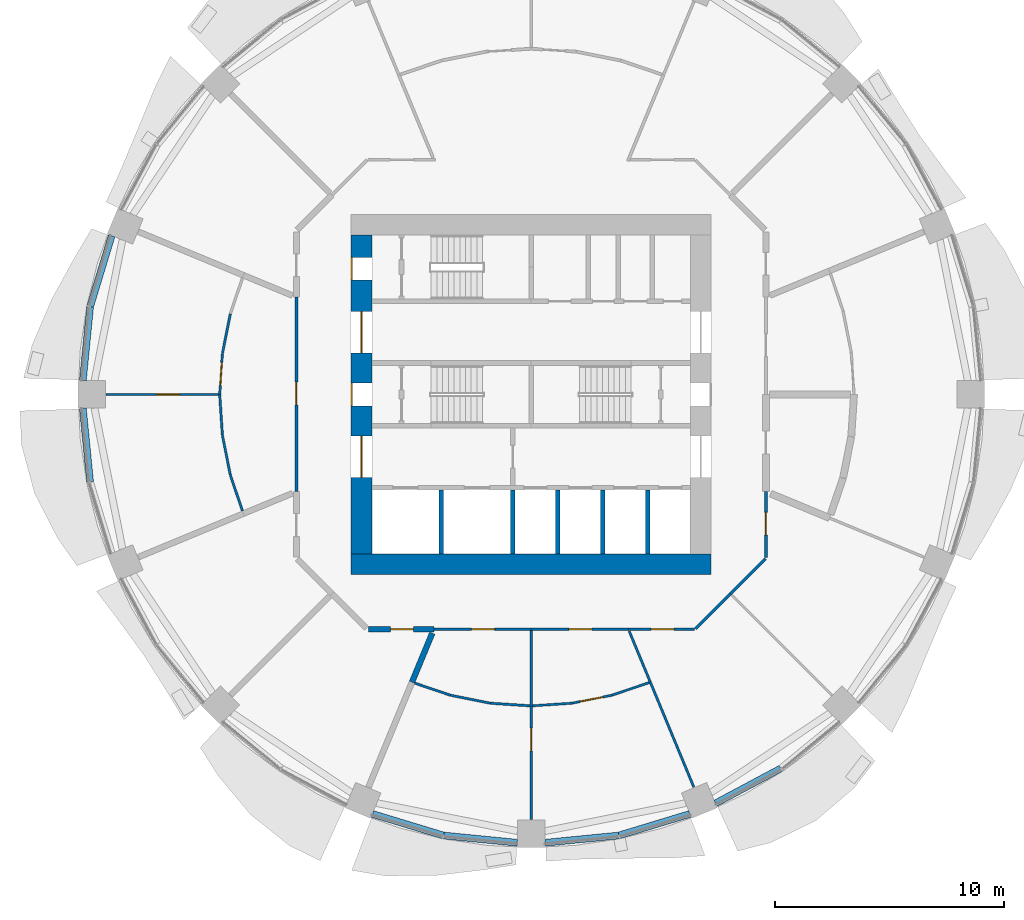
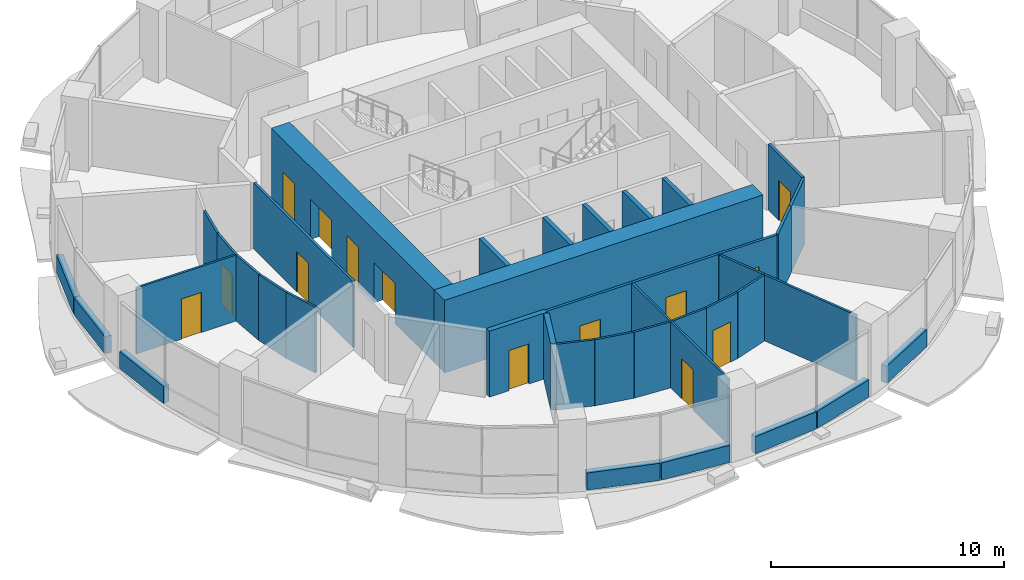
# One storey, part 8 of 15: 40 walls, 14 doors, 14 openings.
"""IFC4 building model written with IfcOpenShell, lengths in metres."""

from ifc_helpers import new_model, si_unit, direction, frame, frame_2d, origin, place, context, subcontext, project, spatial, rectangle, extrude, material, layer, layer_set, type_object, element, fill, save


model = new_model("IFC4")

# Units and contexts
model_context = context("Model", 3, precision=1e-05, world=origin(), true_north=direction((0.0, 1.0)))
body_context = subcontext(model_context, "Body", "Model", "MODEL_VIEW")
ifc_project = project(units=[si_unit("LENGTHUNIT", "METRE"), si_unit("AREAUNIT", "SQUARE_METRE"), si_unit("VOLUMEUNIT", "CUBIC_METRE"), si_unit("PLANEANGLEUNIT", "RADIAN"), si_unit("MASSUNIT", "GRAM", prefix="KILO")], contexts=[model_context])

# Site, building, storey
site_placement = place(None, origin())
site = spatial("IfcSite", under=ifc_project, at=site_placement, CompositionType="ELEMENT")
building_placement = place(site_placement, origin())
building = spatial("IfcBuilding", under=site, at=building_placement, Name="Polderwave Tower", CompositionType="ELEMENT")
storey_placement = place(building_placement, frame((0.0, 0.0, 22.39990234375)))
storey = spatial("IfcBuildingStorey", under=building, at=storey_placement, Name="L05", CompositionType="ELEMENT", Elevation=22.39990234375)

# Wall
ifc_material_1 = material(Name="Concrete C80/95", Category="concrete")
ifc_layer_1 = layer(ifc_material_1, 0.89990234375)
ifc_layer_set_1 = layer_set([ifc_layer_1], Name="CORE WALL 900 C80/95")
wall_type_1 = type_object("IfcWallType", Name="CORE WALL 900 C80/95", PredefinedType="SHEAR", material=ifc_layer_set_1)
wall_1_placement = place(storey_placement, frame((-7.8740234375, -7.424072265625, 0.0), z_axis=(0.0, 0.0, 1.0), x_axis=(1.0, 0.0, 0.0)))
element("IfcWall", 1, at=wall_1_placement, inside=storey, type_object=wall_type_1, Name="ST-CORE-L05-S", PredefinedType="SHEAR", context=body_context, shape_type="SweptSolid", body=[
    extrude(rectangle(XDim=15.748046875, YDim=0.89990234375, at=frame_2d((7.8740234375, 0.0))), origin(), (0.0, 0.0, 1.0), 3.800048828125),
])

# Wall, openings, doors
wall_2_placement = place(storey_placement, frame((-7.424072265625, -6.97412109375, 0.0), z_axis=(0.0, 0.0, 1.0), x_axis=(0.0, 1.0, 0.0)))
wall_2 = element("IfcWall", 2, at=wall_2_placement, inside=storey, type_object=wall_type_1, Name="ST-CORE-L05-W", PredefinedType="SHEAR", context=body_context, shape_type="SweptSolid", body=[
    extrude(rectangle(XDim=13.9482421875, YDim=0.89990234375, at=frame_2d((6.97412109375, 0.0))), origin(), (0.0, 0.0, 1.0), 3.800048828125),
])
opening_1_placement = place(wall_2_placement, frame((6.47412109375, 0.0, 0.0)))
opening_1 = element("IfcOpeningElement", 3, at=opening_1_placement, cuts=wall_2, Name="Opening L05-D18", PredefinedType="OPENING", context=body_context, shape_type="SweptSolid", body=[
    extrude(rectangle(XDim=1.0, YDim=2.10009765625, at=frame_2d((0.5, 1.050048828125))), frame((0.0, 0.4599609375, 0.0), z_axis=(0.0, -1.0, 0.0), x_axis=(1.0, 0.0, 0.0)), (0.0, 0.0, 1.0), 0.919921875),
])
opening_2_placement = place(wall_2_placement, frame((3.349609375, 0.0, 0.0)))
opening_2 = element("IfcOpeningElement", 4, at=opening_2_placement, cuts=wall_2, Name="Opening L05-D19", PredefinedType="OPENING", context=body_context, shape_type="SweptSolid", body=[
    extrude(rectangle(XDim=1.800048828125, YDim=2.10009765625, at=frame_2d((0.89990234375, 1.050048828125))), frame((0.0, 0.4599609375, 0.0), z_axis=(0.0, -1.0, 0.0), x_axis=(1.0, 0.0, 0.0)), (0.0, 0.0, 1.0), 0.919921875),
])
opening_3_placement = place(wall_2_placement, frame((8.798583984375, 0.0, 0.0)))
opening_3 = element("IfcOpeningElement", 5, at=opening_3_placement, cuts=wall_2, Name="Opening L05-D20", PredefinedType="OPENING", context=body_context, shape_type="SweptSolid", body=[
    extrude(rectangle(XDim=1.800048828125, YDim=2.10009765625, at=frame_2d((0.89990234375, 1.050048828125))), frame((0.0, 0.4599609375, 0.0), z_axis=(0.0, -1.0, 0.0), x_axis=(1.0, 0.0, 0.0)), (0.0, 0.0, 1.0), 0.919921875),
])
opening_4_placement = place(wall_2_placement, frame((11.97412109375, 0.0, 0.0)))
opening_4 = element("IfcOpeningElement", 6, at=opening_4_placement, cuts=wall_2, Name="Opening L05-D21", PredefinedType="OPENING", context=body_context, shape_type="SweptSolid", body=[
    extrude(rectangle(XDim=1.0, YDim=2.10009765625, at=frame_2d((0.5, 1.050048828125))), frame((0.0, 0.4599609375, 0.0), z_axis=(0.0, -1.0, 0.0), x_axis=(1.0, 0.0, 0.0)), (0.0, 0.0, 1.0), 0.919921875),
])
ifc_material_2 = material(Name="Steel fire door", Category="steel")
door_type_1 = type_object("IfcDoorType", Name="Lobby entry door pair 1800", OperationType="DOUBLE_DOOR_SINGLE_SWING", PredefinedType="DOOR", material=ifc_material_2)
door_1_placement = place(opening_2_placement, origin())
door_1 = element("IfcDoor", 7, at=door_1_placement, inside=storey, type_object=door_type_1, Name="Fire-fighting lobby entry door", OperationType="DOUBLE_DOOR_SINGLE_SWING", OverallHeight=2.10009765625, OverallWidth=1.800048828125, PredefinedType="DOOR", context=body_context, shape_type="SweptSolid", body=[
    extrude(rectangle(XDim=1.800048828125, YDim=2.10009765625, at=frame_2d((0.89990234375, 1.050048828125))), frame((0.0, 0.02490234375, 0.0), z_axis=(0.0, -1.0, 0.0), x_axis=(1.0, 0.0, 0.0)), (0.0, 0.0, 1.0), 0.050048828125),
])
fill(opening_2, door_1)
door_2_placement = place(opening_3_placement, origin())
door_2 = element("IfcDoor", 8, at=door_2_placement, inside=storey, type_object=door_type_1, Name="North lobby entry door", OperationType="DOUBLE_DOOR_SINGLE_SWING", OverallHeight=2.10009765625, OverallWidth=1.800048828125, PredefinedType="DOOR", context=body_context, shape_type="SweptSolid", body=[
    extrude(rectangle(XDim=1.800048828125, YDim=2.10009765625, at=frame_2d((0.89990234375, 1.050048828125))), frame((0.0, 0.02490234375, 0.0), z_axis=(0.0, -1.0, 0.0), x_axis=(1.0, 0.0, 0.0)), (0.0, 0.0, 1.0), 0.050048828125),
])
fill(opening_3, door_2)
door_type_2 = type_object("IfcDoorType", Name="Stair door 1000", OperationType="NOTDEFINED", PredefinedType="DOOR", material=ifc_material_2)
door_3_placement = place(opening_1_placement, origin())
door_3 = element("IfcDoor", 9, at=door_3_placement, inside=storey, type_object=door_type_2, Name="Stair A entry door", OperationType="SINGLE_SWING_RIGHT", OverallHeight=2.10009765625, OverallWidth=1.0, PredefinedType="DOOR", context=body_context, shape_type="SweptSolid", body=[
    extrude(rectangle(XDim=1.0, YDim=2.10009765625, at=frame_2d((0.5, 1.050048828125))), frame((0.0, 0.4501953125, 0.0), z_axis=(0.0, -1.0, 0.0), x_axis=(1.0, 0.0, 0.0)), (0.0, 0.0, 1.0), 0.050048828125),
])
fill(opening_1, door_3)
door_4_placement = place(opening_4_placement, origin())
door_4 = element("IfcDoor", 10, at=door_4_placement, inside=storey, type_object=door_type_2, Name="Stair C entry door", OperationType="SINGLE_SWING_RIGHT", OverallHeight=2.10009765625, OverallWidth=1.0, PredefinedType="DOOR", context=body_context, shape_type="SweptSolid", body=[
    extrude(rectangle(XDim=1.0, YDim=2.10009765625, at=frame_2d((0.5, 1.050048828125))), frame((0.0, 0.4501953125, 0.0), z_axis=(0.0, -1.0, 0.0), x_axis=(1.0, 0.0, 0.0)), (0.0, 0.0, 1.0), 0.050048828125),
])
fill(opening_4, door_4)

# Walls
ifc_material_3 = material(Name="Concrete C50/60 (board-marked)", Category="concrete")
ifc_layer_2 = layer(ifc_material_3, 0.300048828125)
ifc_layer_set_2 = layer_set([ifc_layer_2], Name="Concrete spandrel upstand C50/60")
wall_type_2 = type_object("IfcWallType", Name="Concrete spandrel upstand C50/60", PredefinedType="SOLIDWALL", material=ifc_layer_set_2)
wall_3_placement = place(storey_placement, frame((-18.3603515625, 6.940673828125, 0.0), z_axis=(0.0, 0.0, 1.0), x_axis=(-0.290505111592, -0.95687343998, 0.0)))
element("IfcWall", 11, at=wall_3_placement, inside=storey, type_object=wall_type_2, Name="Spandrel L05 8a", PredefinedType="SOLIDWALL", context=body_context, shape_type="SweptSolid", body=[
    extrude(rectangle(XDim=3.226318359375, YDim=0.300048828125, at=frame_2d((1.61328125, 0.0))), origin(), (0.0, 0.0, 1.0), 0.900146484375),
])
for number, where, z_axis, x_axis, name in (
    (12, (-19.303466796875, 3.82421875, 0.0), (0.0, 0.0, 1.0), (-0.097900553906, -0.995196202537, 0.0), "Spandrel L05 8b"),
    (13, (-19.619384765625, -0.61279296875, 0.0), (0.0, 0.0, 1.0), (0.097900553906, -0.995196202537, 0.0), "Spandrel L05 9a"),
):
    element("IfcWall", number, at=place(storey_placement, frame(where, z_axis=z_axis, x_axis=x_axis)), inside=storey, type_object=wall_type_2, Name=name, PredefinedType="SOLIDWALL", context=body_context, shape_type="SweptSolid", body=[
        extrude(rectangle(XDim=3.226806640625, YDim=0.300048828125, at=frame_2d((1.61328125, 0.0))), origin(), (0.0, 0.0, 1.0), 0.900146484375),
    ])
wall_4_placement = place(storey_placement, frame((-6.940673828125, -18.3603515625, 0.0), z_axis=(0.0, 0.0, 1.0), x_axis=(0.95687343998, -0.290505111592, 0.0)))
element("IfcWall", 14, at=wall_4_placement, inside=storey, type_object=wall_type_2, Name="Spandrel L05 12a", PredefinedType="SOLIDWALL", context=body_context, shape_type="SweptSolid", body=[
    extrude(rectangle(XDim=3.226318359375, YDim=0.300048828125, at=frame_2d((1.61328125, 0.0))), origin(), (0.0, 0.0, 1.0), 0.900146484375),
])
for number, where, z_axis, x_axis, name in (
    (15, (-3.82421875, -19.303466796875, 0.0), (0.0, 0.0, 1.0), (0.995196202537, -0.097900553906, 0.0), "Spandrel L05 12b"),
    (16, (0.61279296875, -19.619384765625, 0.0), (0.0, 0.0, 1.0), (0.995196202537, 0.097900553906, 0.0), "Spandrel L05 13a"),
):
    element("IfcWall", number, at=place(storey_placement, frame(where, z_axis=z_axis, x_axis=x_axis)), inside=storey, type_object=wall_type_2, Name=name, PredefinedType="SOLIDWALL", context=body_context, shape_type="SweptSolid", body=[
        extrude(rectangle(XDim=3.226806640625, YDim=0.300048828125, at=frame_2d((1.61328125, 0.0))), origin(), (0.0, 0.0, 1.0), 0.900146484375),
    ])
wall_5_placement = place(storey_placement, frame((3.853515625, -19.297607421875, 0.0), z_axis=(0.0, 0.0, 1.0), x_axis=(0.95687343998, 0.290505111592, 0.0)))
element("IfcWall", 17, at=wall_5_placement, inside=storey, type_object=wall_type_2, Name="Spandrel L05 13b", PredefinedType="SOLIDWALL", context=body_context, shape_type="SweptSolid", body=[
    extrude(rectangle(XDim=3.226318359375, YDim=0.300048828125, at=frame_2d((1.61328125, 0.0))), origin(), (0.0, 0.0, 1.0), 0.900146484375),
])
wall_6_placement = place(storey_placement, frame((8.07421875, -17.890869140625, 0.0), z_axis=(0.0, 0.0, 1.0), x_axis=(0.881960953585, 0.471322475968, 0.0)))
element("IfcWall", 18, at=wall_6_placement, inside=storey, type_object=wall_type_2, Name="Spandrel L05 14a", PredefinedType="SOLIDWALL", context=body_context, shape_type="SweptSolid", body=[
    extrude(rectangle(XDim=3.2265625, YDim=0.300048828125, at=frame_2d((1.61328125, 0.0))), origin(), (0.0, 0.0, 1.0), 0.900146484375),
])
ifc_material_4 = material(Name="Fire-resisting board on steel studs", Category="steel")
ifc_layer_3 = layer(ifc_material_4, 0.125)
ifc_layer_set_3 = layer_set([ifc_layer_3], Name="Corridor wall 125 mm EI 60")
wall_type_3 = type_object("IfcWallType", Name="Corridor wall 125 mm EI 60", PredefinedType="PARTITIONING", material=ifc_layer_set_3)
wall_7_placement = place(storey_placement, frame((10.255615234375, -7.189453125, 0.0), z_axis=(0.0, 0.0, 1.0), x_axis=(-0.707163081738, -0.707050476152, 0.0)))
element("IfcWall", 19, at=wall_7_placement, inside=storey, type_object=wall_type_3, Name="IN-L05-W004", PredefinedType="PARTITIONING", context=body_context, shape_type="SweptSolid", body=[
    extrude(rectangle(XDim=2.168212890625, YDim=0.125, at=frame_2d((1.083984375, 0.0))), origin(), (0.0, 0.0, 1.0), 3.4501953125),
])

# Wall, opening, door
wall_8_placement = place(storey_placement, frame((10.27392578125, -4.255615234375, 0.0), z_axis=(0.0, 0.0, 1.0), x_axis=(0.0, -1.0, 0.0)))
wall_8 = element("IfcWall", 20, at=wall_8_placement, inside=storey, type_object=wall_type_3, Name="IN-L05-W005", PredefinedType="PARTITIONING", context=body_context, shape_type="SweptSolid", body=[
    extrude(rectangle(XDim=2.8896484375, YDim=0.125, at=frame_2d((1.44482421875, 0.0))), origin(), (0.0, 0.0, 1.0), 3.4501953125),
])
opening_5_placement = place(wall_8_placement, frame((0.89990234375, 0.0, 0.0)))
opening_5 = element("IfcOpeningElement", 21, at=opening_5_placement, cuts=wall_8, Name="Opening L05-D52", PredefinedType="OPENING", context=body_context, shape_type="SweptSolid", body=[
    extrude(rectangle(XDim=1.0, YDim=2.10009765625, at=frame_2d((0.5, 1.050048828125))), frame((0.0, 0.072509765625, 0.0), z_axis=(0.0, -1.0, 0.0), x_axis=(1.0, 0.0, 0.0)), (0.0, 0.0, 1.0), 0.14501953125),
])
ifc_material_5 = material(Name="Timber fire door leaf", Category="wood")
door_type_3 = type_object("IfcDoorType", Name="Fire door FD30S 1000 x 2100", OperationType="NOTDEFINED", PredefinedType="DOOR", material=ifc_material_5)
door_5_placement = place(opening_5_placement, origin())
door_5 = element("IfcDoor", 22, at=door_5_placement, inside=storey, type_object=door_type_3, Name="Door L05-D52", OperationType="SINGLE_SWING_LEFT", OverallHeight=2.10009765625, OverallWidth=1.0, PredefinedType="DOOR", context=body_context, shape_type="SweptSolid", body=[
    extrude(rectangle(XDim=1.0, YDim=2.10009765625, at=frame_2d((0.5, 1.050048828125))), frame((0.0, 0.02490234375, 0.0), z_axis=(0.0, -1.0, 0.0), x_axis=(1.0, 0.0, 0.0)), (0.0, 0.0, 1.0), 0.050048828125),
])
fill(opening_5, door_5)

wall_9_placement = place(storey_placement, frame((-10.27392578125, -4.255615234375, 0.0), z_axis=(0.0, 0.0, 1.0), x_axis=(0.0, 1.0, 0.0)))
wall_9 = element("IfcWall", 23, at=wall_9_placement, inside=storey, type_object=wall_type_3, Name="IN-L05-W013", PredefinedType="PARTITIONING", context=body_context, shape_type="SweptSolid", body=[
    extrude(rectangle(XDim=8.51123046875, YDim=0.125, at=frame_2d((4.255615234375, 0.0))), origin(), (0.0, 0.0, 1.0), 3.4501953125),
])
opening_6_placement = place(wall_9_placement, frame((3.800048828125, 0.0, 0.0)))
opening_6 = element("IfcOpeningElement", 24, at=opening_6_placement, cuts=wall_9, Name="Opening L05-D57", PredefinedType="OPENING", context=body_context, shape_type="SweptSolid", body=[
    extrude(rectangle(XDim=1.0, YDim=2.10009765625, at=frame_2d((0.5, 1.050048828125))), frame((0.0, 0.072509765625, 0.0), z_axis=(0.0, -1.0, 0.0), x_axis=(1.0, 0.0, 0.0)), (0.0, 0.0, 1.0), 0.14501953125),
])
door_6_placement = place(opening_6_placement, origin())
door_6 = element("IfcDoor", 25, at=door_6_placement, inside=storey, type_object=door_type_3, Name="Door L05-D57", OperationType="SINGLE_SWING_RIGHT", OverallHeight=2.10009765625, OverallWidth=1.0, PredefinedType="DOOR", context=body_context, shape_type="SweptSolid", body=[
    extrude(rectangle(XDim=1.0, YDim=2.10009765625, at=frame_2d((0.5, 1.050048828125))), frame((0.0, 0.02490234375, 0.0), z_axis=(0.0, -1.0, 0.0), x_axis=(1.0, 0.0, 0.0)), (0.0, 0.0, 1.0), 0.050048828125),
])
fill(opening_6, door_6)

wall_10_placement = place(storey_placement, frame((0.0, -10.27392578125, 0.0), z_axis=(0.0, 0.0, 1.0), x_axis=(-1.0, 0.0, 0.0)))
wall_10 = element("IfcWall", 26, at=wall_10_placement, inside=storey, type_object=wall_type_3, Name="IN-L05-W018", PredefinedType="PARTITIONING", context=body_context, shape_type="SweptSolid", body=[
    extrude(rectangle(XDim=4.255615234375, YDim=0.125, at=frame_2d((2.1279296875, 0.0))), origin(), (0.0, 0.0, 1.0), 3.4501953125),
])
opening_7_placement = place(wall_10_placement, frame((1.60009765625, 0.0, 0.0)))
opening_7 = element("IfcOpeningElement", 27, at=opening_7_placement, cuts=wall_10, Name="Opening L05-D60", PredefinedType="OPENING", context=body_context, shape_type="SweptSolid", body=[
    extrude(rectangle(XDim=1.0, YDim=2.10009765625, at=frame_2d((0.5, 1.050048828125))), frame((0.0, 0.072509765625, 0.0), z_axis=(0.0, -1.0, 0.0), x_axis=(1.0, 0.0, 0.0)), (0.0, 0.0, 1.0), 0.14501953125),
])
door_7_placement = place(opening_7_placement, origin())
door_7 = element("IfcDoor", 28, at=door_7_placement, inside=storey, type_object=door_type_3, Name="Door L05-D60", OperationType="SINGLE_SWING_LEFT", OverallHeight=2.10009765625, OverallWidth=1.0, PredefinedType="DOOR", context=body_context, shape_type="SweptSolid", body=[
    extrude(rectangle(XDim=1.0, YDim=2.10009765625, at=frame_2d((0.5, 1.050048828125))), frame((0.0, 0.02490234375, 0.0), z_axis=(0.0, -1.0, 0.0), x_axis=(1.0, 0.0, 0.0)), (0.0, 0.0, 1.0), 0.050048828125),
])
fill(opening_7, door_7)

wall_11_placement = place(storey_placement, frame((4.255615234375, -10.27392578125, 0.0), z_axis=(0.0, 0.0, 1.0), x_axis=(-1.0, 0.0, 0.0)))
wall_11 = element("IfcWall", 29, at=wall_11_placement, inside=storey, type_object=wall_type_3, Name="IN-L05-W019", PredefinedType="PARTITIONING", context=body_context, shape_type="SweptSolid", body=[
    extrude(rectangle(XDim=4.255615234375, YDim=0.125, at=frame_2d((2.1279296875, 0.0))), origin(), (0.0, 0.0, 1.0), 3.4501953125),
])
opening_8_placement = place(wall_11_placement, frame((1.60009765625, 0.0, 0.0)))
opening_8 = element("IfcOpeningElement", 30, at=opening_8_placement, cuts=wall_11, Name="Opening L05-D61", PredefinedType="OPENING", context=body_context, shape_type="SweptSolid", body=[
    extrude(rectangle(XDim=1.0, YDim=2.10009765625, at=frame_2d((0.5, 1.050048828125))), frame((0.0, 0.072509765625, 0.0), z_axis=(0.0, -1.0, 0.0), x_axis=(1.0, 0.0, 0.0)), (0.0, 0.0, 1.0), 0.14501953125),
])
door_8_placement = place(opening_8_placement, origin())
door_8 = element("IfcDoor", 31, at=door_8_placement, inside=storey, type_object=door_type_3, Name="Door L05-D61", OperationType="SINGLE_SWING_LEFT", OverallHeight=2.10009765625, OverallWidth=1.0, PredefinedType="DOOR", context=body_context, shape_type="SweptSolid", body=[
    extrude(rectangle(XDim=1.0, YDim=2.10009765625, at=frame_2d((0.5, 1.050048828125))), frame((0.0, 0.02490234375, 0.0), z_axis=(0.0, -1.0, 0.0), x_axis=(1.0, 0.0, 0.0)), (0.0, 0.0, 1.0), 0.050048828125),
])
fill(opening_8, door_8)

wall_12_placement = place(storey_placement, frame((7.145263671875, -10.27392578125, 0.0), z_axis=(0.0, 0.0, 1.0), x_axis=(-1.0, 0.0, 0.0)))
wall_12 = element("IfcWall", 32, at=wall_12_placement, inside=storey, type_object=wall_type_3, Name="IN-L05-W020", PredefinedType="PARTITIONING", context=body_context, shape_type="SweptSolid", body=[
    extrude(rectangle(XDim=2.8896484375, YDim=0.125, at=frame_2d((1.44482421875, 0.0))), origin(), (0.0, 0.0, 1.0), 3.4501953125),
])
opening_9_placement = place(wall_12_placement, frame((0.89990234375, 0.0, 0.0)))
opening_9 = element("IfcOpeningElement", 33, at=opening_9_placement, cuts=wall_12, Name="Opening L05-D62", PredefinedType="OPENING", context=body_context, shape_type="SweptSolid", body=[
    extrude(rectangle(XDim=1.0, YDim=2.10009765625, at=frame_2d((0.5, 1.050048828125))), frame((0.0, 0.072509765625, 0.0), z_axis=(0.0, -1.0, 0.0), x_axis=(1.0, 0.0, 0.0)), (0.0, 0.0, 1.0), 0.14501953125),
])
door_9_placement = place(opening_9_placement, origin())
door_9 = element("IfcDoor", 34, at=door_9_placement, inside=storey, type_object=door_type_3, Name="Door L05-D62", OperationType="SINGLE_SWING_LEFT", OverallHeight=2.10009765625, OverallWidth=1.0, PredefinedType="DOOR", context=body_context, shape_type="SweptSolid", body=[
    extrude(rectangle(XDim=1.0, YDim=2.10009765625, at=frame_2d((0.5, 1.050048828125))), frame((0.0, 0.02490234375, 0.0), z_axis=(0.0, -1.0, 0.0), x_axis=(1.0, 0.0, 0.0)), (0.0, 0.0, 1.0), 0.050048828125),
])
fill(opening_9, door_9)

# Wall
wall_13_placement = place(storey_placement, frame((8.722412109375, -8.722412109375, 0.0), z_axis=(0.0, 0.0, 1.0), x_axis=(-0.707050476152, -0.707163081738, 0.0)))
element("IfcWall", 35, at=wall_13_placement, inside=storey, type_object=wall_type_3, Name="IN-L05-W021", PredefinedType="PARTITIONING", context=body_context, shape_type="SweptSolid", body=[
    extrude(rectangle(XDim=2.168212890625, YDim=0.125, at=frame_2d((1.083984375, 0.0))), origin(), (0.0, 0.0, 1.0), 3.4501953125),
])

# Wall, opening, door
ifc_material_6 = material(Name="Plasterboard on steel studs", Category="steel")
ifc_layer_4 = layer(ifc_material_6, 0.10009765625)
ifc_layer_set_4 = layer_set([ifc_layer_4], Name="Partition 100 mm plasterboard on steel studs")
wall_type_4 = type_object("IfcWallType", Name="Partition 100 mm plasterboard on steel studs", PredefinedType="PARTITIONING", material=ifc_layer_set_4)
wall_14_placement = place(storey_placement, frame((-13.685791015625, 0.0, 0.0), z_axis=(0.0, 0.0, 1.0), x_axis=(-1.0, 0.0, 0.0)))
wall_14 = element("IfcWall", 36, at=wall_14_placement, inside=storey, type_object=wall_type_4, Name="IN-L05-W050", PredefinedType="PARTITIONING", context=body_context, shape_type="SweptSolid", body=[
    extrude(rectangle(XDim=4.914306640625, YDim=0.10009765625, at=frame_2d((2.45703125, 0.0))), origin(), (0.0, 0.0, 1.0), 3.4501953125),
])
opening_10_placement = place(wall_14_placement, frame((1.699951171875, 0.0, 0.0)))
opening_10 = element("IfcOpeningElement", 37, at=opening_10_placement, cuts=wall_14, Name="Opening L05-D67", PredefinedType="OPENING", context=body_context, shape_type="SweptSolid", body=[
    extrude(rectangle(XDim=1.0, YDim=2.10009765625, at=frame_2d((0.5, 1.050048828125))), frame((0.0, 0.06005859375, 0.0), z_axis=(0.0, -1.0, 0.0), x_axis=(1.0, 0.0, 0.0)), (0.0, 0.0, 1.0), 0.1201171875),
])
ifc_material_7 = material(Name="Timber veneer door leaf", Category="wood")
door_type_4 = type_object("IfcDoorType", Name="Single door 1000 x 2100", OperationType="NOTDEFINED", PredefinedType="DOOR", material=ifc_material_7)
door_10_placement = place(opening_10_placement, origin())
door_10 = element("IfcDoor", 38, at=door_10_placement, inside=storey, type_object=door_type_4, Name="Door L05-D67", OperationType="SINGLE_SWING_LEFT", OverallHeight=2.10009765625, OverallWidth=1.0, PredefinedType="DOOR", context=body_context, shape_type="SweptSolid", body=[
    extrude(rectangle(XDim=1.0, YDim=2.10009765625, at=frame_2d((0.5, 1.050048828125))), frame((0.0, 0.02490234375, 0.0), z_axis=(0.0, -1.0, 0.0), x_axis=(1.0, 0.0, 0.0)), (0.0, 0.0, 1.0), 0.050048828125),
])
fill(opening_10, door_10)

wall_15_placement = place(storey_placement, frame((0.0, -18.60009765625, 0.0), z_axis=(0.0, 0.0, 1.0), x_axis=(0.0, 1.0, 0.0)))
wall_15 = element("IfcWall", 39, at=wall_15_placement, inside=storey, type_object=wall_type_4, Name="IN-L05-W063", PredefinedType="PARTITIONING", context=body_context, shape_type="SweptSolid", body=[
    extrude(rectangle(XDim=4.97021484375, YDim=0.10009765625, at=frame_2d((2.485107421875, 0.0))), origin(), (0.0, 0.0, 1.0), 3.4501953125),
])
opening_11_placement = place(wall_15_placement, frame((3.0, 0.0, 0.0)))
opening_11 = element("IfcOpeningElement", 40, at=opening_11_placement, cuts=wall_15, Name="Opening L05-D68", PredefinedType="OPENING", context=body_context, shape_type="SweptSolid", body=[
    extrude(rectangle(XDim=1.0, YDim=2.10009765625, at=frame_2d((0.5, 1.050048828125))), frame((0.0, 0.06005859375, 0.0), z_axis=(0.0, -1.0, 0.0), x_axis=(1.0, 0.0, 0.0)), (0.0, 0.0, 1.0), 0.1201171875),
])
door_11_placement = place(opening_11_placement, origin())
door_11 = element("IfcDoor", 41, at=door_11_placement, inside=storey, type_object=door_type_4, Name="Door L05-D68", OperationType="SINGLE_SWING_RIGHT", OverallHeight=2.10009765625, OverallWidth=1.0, PredefinedType="DOOR", context=body_context, shape_type="SweptSolid", body=[
    extrude(rectangle(XDim=1.0, YDim=2.10009765625, at=frame_2d((0.5, 1.050048828125))), frame((0.0, 0.02490234375, 0.0), z_axis=(0.0, -1.0, 0.0), x_axis=(1.0, 0.0, 0.0)), (0.0, 0.0, 1.0), 0.050048828125),
])
fill(opening_11, door_11)

# Wall
wall_16_placement = place(storey_placement, frame((1.77587890625, -13.513671875, 0.0), z_axis=(0.0, 0.0, 1.0), x_axis=(-0.997865884721, -0.065296830782, 0.0)))
element("IfcWall", 42, at=wall_16_placement, inside=storey, type_object=wall_type_4, Name="IN-L05-W064", PredefinedType="PARTITIONING", context=body_context, shape_type="SweptSolid", body=[
    extrude(rectangle(XDim=1.7236328125, YDim=0.10009765625, at=frame_2d((0.86181640625, 0.0))), origin(), (0.0, 0.0, 1.0), 3.4501953125),
])

# Wall, opening, door
wall_17_placement = place(storey_placement, frame((3.5244140625, -13.166259765625, 0.0), z_axis=(0.0, 0.0, 1.0), x_axis=(-0.980796814698, -0.195032326241, 0.0)))
wall_17 = element("IfcWall", 43, at=wall_17_placement, inside=storey, type_object=wall_type_4, Name="IN-L05-W065", PredefinedType="PARTITIONING", context=body_context, shape_type="SweptSolid", body=[
    extrude(rectangle(XDim=1.7763671875, YDim=0.10009765625, at=frame_2d((0.88818359375, 0.0))), origin(), (0.0, 0.0, 1.0), 3.4501953125),
])
opening_12_placement = place(wall_17_placement, frame((0.39990234375, 0.0, 0.0)))
opening_12 = element("IfcOpeningElement", 44, at=opening_12_placement, cuts=wall_17, Name="Opening L05-D69", PredefinedType="OPENING", context=body_context, shape_type="SweptSolid", body=[
    extrude(rectangle(XDim=1.0, YDim=2.10009765625, at=frame_2d((0.5, 1.050048828125))), frame((0.0, 0.06005859375, 0.0), z_axis=(0.0, -1.0, 0.0), x_axis=(1.0, 0.0, 0.0)), (0.0, 0.0, 1.0), 0.1201171875),
])
door_12_placement = place(opening_12_placement, origin())
door_12 = element("IfcDoor", 45, at=door_12_placement, inside=storey, type_object=door_type_4, Name="Door L05-D69", OperationType="SINGLE_SWING_RIGHT", OverallHeight=2.10009765625, OverallWidth=1.0, PredefinedType="DOOR", context=body_context, shape_type="SweptSolid", body=[
    extrude(rectangle(XDim=1.0, YDim=2.10009765625, at=frame_2d((0.5, 1.050048828125))), frame((0.0, 0.02490234375, 0.0), z_axis=(0.0, -1.0, 0.0), x_axis=(1.0, 0.0, 0.0)), (0.0, 0.0, 1.0), 0.050048828125),
])
fill(opening_12, door_12)

# Wall
wall_18_placement = place(storey_placement, frame((5.1630859375, -12.610595703125, 0.0), z_axis=(0.0, 0.0, 1.0), x_axis=(-0.946955612201, -0.321364385894, 0.0)))
element("IfcWall", 46, at=wall_18_placement, inside=storey, type_object=wall_type_4, Name="IN-L05-W066", PredefinedType="PARTITIONING", context=body_context, shape_type="SweptSolid", body=[
    extrude(rectangle(XDim=1.723876953125, YDim=0.10009765625, at=frame_2d((0.86181640625, 0.0))), origin(), (0.0, 0.0, 1.0), 3.4501953125),
])

# Wall, opening, door
ifc_material_8 = material(Name="Moisture-resistant board on steel studs, tiled", Category="steel")
ifc_layer_5 = layer(ifc_material_8, 0.10498046875)
ifc_layer_set_5 = layer_set([ifc_layer_5], Name="Partition 105 mm wet room board and tile")
wall_type_5 = type_object("IfcWallType", Name="Partition 105 mm wet room board and tile", PredefinedType="PARTITIONING", material=ifc_layer_set_5)
wall_19_placement = place(storey_placement, frame((-13.6298828125, 0.0, 0.0), z_axis=(0.0, 0.0, 1.0), x_axis=(0.065307826017, 0.997865165171, 0.0)))
wall_19 = element("IfcWall", 47, at=wall_19_placement, inside=storey, type_object=wall_type_5, Name="IN-L05-W047", PredefinedType="PARTITIONING", context=body_context, shape_type="SweptSolid", body=[
    extrude(rectangle(XDim=1.779541015625, YDim=0.10498046875, at=frame_2d((0.8896484375, 0.0))), origin(), (0.0, 0.0, 1.0), 3.4501953125),
])
opening_13_placement = place(wall_19_placement, frame((0.39990234375, 0.0, 0.0)))
opening_13 = element("IfcOpeningElement", 48, at=opening_13_placement, cuts=wall_19, Name="Opening L05-D66", PredefinedType="OPENING", context=body_context, shape_type="SweptSolid", body=[
    extrude(rectangle(XDim=1.0, YDim=2.10009765625, at=frame_2d((0.5, 1.050048828125))), frame((0.0, 0.0625, 0.0), z_axis=(0.0, -1.0, 0.0), x_axis=(1.0, 0.0, 0.0)), (0.0, 0.0, 1.0), 0.125),
])
door_13_placement = place(opening_13_placement, origin())
door_13 = element("IfcDoor", 49, at=door_13_placement, inside=storey, type_object=door_type_4, Name="Door L05-D66", OperationType="SINGLE_SWING_RIGHT", OverallHeight=2.10009765625, OverallWidth=1.0, PredefinedType="DOOR", context=body_context, shape_type="SweptSolid", body=[
    extrude(rectangle(XDim=1.0, YDim=2.10009765625, at=frame_2d((0.5, 1.050048828125))), frame((0.0, 0.02490234375, 0.0), z_axis=(0.0, -1.0, 0.0), x_axis=(1.0, 0.0, 0.0)), (0.0, 0.0, 1.0), 0.050048828125),
])
fill(opening_13, door_13)

# Walls
wall_20_placement = place(storey_placement, frame((-13.166259765625, 3.5244140625, 0.0), z_axis=(0.0, 0.0, 1.0), x_axis=(-0.195058620882, -0.980791585618, 0.0)))
element("IfcWall", 50, at=wall_20_placement, inside=storey, type_object=wall_type_5, Name="IN-L05-W048", PredefinedType="PARTITIONING", context=body_context, shape_type="SweptSolid", body=[
    extrude(rectangle(XDim=1.776123046875, YDim=0.10498046875, at=frame_2d((0.88818359375, 0.0))), origin(), (0.0, 0.0, 1.0), 3.4501953125),
])
wall_21_placement = place(storey_placement, frame((-13.513671875, -1.775634765625, 0.0), z_axis=(0.0, 0.0, 1.0), x_axis=(-0.065307826017, 0.997865165171, 0.0)))
element("IfcWall", 51, at=wall_21_placement, inside=storey, type_object=wall_type_5, Name="IN-L05-W051", PredefinedType="PARTITIONING", context=body_context, shape_type="SweptSolid", body=[
    extrude(rectangle(XDim=1.779541015625, YDim=0.10498046875, at=frame_2d((0.8896484375, 0.0))), origin(), (0.0, 0.0, 1.0), 3.4501953125),
])
wall_22_placement = place(storey_placement, frame((-13.166259765625, -3.5244140625, 0.0), z_axis=(0.0, 0.0, 1.0), x_axis=(-0.195058620882, 0.980791585618, 0.0)))
element("IfcWall", 52, at=wall_22_placement, inside=storey, type_object=wall_type_5, Name="IN-L05-W052", PredefinedType="PARTITIONING", context=body_context, shape_type="SweptSolid", body=[
    extrude(rectangle(XDim=1.776123046875, YDim=0.10498046875, at=frame_2d((0.88818359375, 0.0))), origin(), (0.0, 0.0, 1.0), 3.4501953125),
])
for number, where, z_axis, x_axis, name in (
    (53, (-12.6337890625, -5.093994140625, 0.0), (0.0, 0.0, 1.0), (-0.321547397039, 0.946893484748, 0.0), "IN-L05-W053"),
    (54, (-3.531005859375, -13.16455078125, 0.0), (0.0, 0.0, 1.0), (-0.946893484748, 0.321547397039, 0.0), "IN-L05-W059"),
):
    element("IfcWall", number, at=place(storey_placement, frame(where, z_axis=z_axis, x_axis=x_axis)), inside=storey, type_object=wall_type_5, Name=name, PredefinedType="PARTITIONING", context=body_context, shape_type="SweptSolid", body=[
        extrude(rectangle(XDim=1.650634765625, YDim=0.10498046875, at=frame_2d((0.8251953125, 0.0))), origin(), (0.0, 0.0, 1.0), 3.4501953125),
    ])
wall_23_placement = place(storey_placement, frame((-1.782470703125, -13.5126953125, 0.0), z_axis=(0.0, 0.0, 1.0), x_axis=(-0.980791585618, 0.195058620882, 0.0)))
element("IfcWall", 55, at=wall_23_placement, inside=storey, type_object=wall_type_5, Name="IN-L05-W060", PredefinedType="PARTITIONING", context=body_context, shape_type="SweptSolid", body=[
    extrude(rectangle(XDim=1.776123046875, YDim=0.10498046875, at=frame_2d((0.88818359375, 0.0))), origin(), (0.0, 0.0, 1.0), 3.4501953125),
])
wall_24_placement = place(storey_placement, frame((-0.055908203125, -13.626220703125, 0.0), z_axis=(0.0, 0.0, 1.0), x_axis=(-0.997865280678, 0.065306061101, 0.0)))
element("IfcWall", 56, at=wall_24_placement, inside=storey, type_object=wall_type_5, Name="IN-L05-W061", PredefinedType="PARTITIONING", context=body_context, shape_type="SweptSolid", body=[
    extrude(rectangle(XDim=1.723388671875, YDim=0.10498046875, at=frame_2d((0.86181640625, 0.0))), origin(), (0.0, 0.0, 1.0), 3.4501953125),
])
wall_25_placement = place(storey_placement, frame((0.0, -10.33642578125, 0.0), z_axis=(0.0, 0.0, 1.0), x_axis=(0.0, -1.0, 0.0)))
element("IfcWall", 57, at=wall_25_placement, inside=storey, type_object=wall_type_5, Name="IN-L05-W062", PredefinedType="PARTITIONING", context=body_context, shape_type="SweptSolid", body=[
    extrude(rectangle(XDim=3.29345703125, YDim=0.10498046875, at=frame_2d((1.646728515625, 0.0))), origin(), (0.0, 0.0, 1.0), 3.4501953125),
])
wall_26_placement = place(storey_placement, frame((4.289794921875, -10.356689453125, 0.0), z_axis=(0.0, 0.0, 1.0), x_axis=(0.382651760667, -0.923892650722, 0.0)))
element("IfcWall", 58, at=wall_26_placement, inside=storey, type_object=wall_type_5, Name="IN-L05-W067", PredefinedType="PARTITIONING", context=body_context, shape_type="SweptSolid", body=[
    extrude(rectangle(XDim=2.419921875, YDim=0.10498046875, at=frame_2d((1.2099609375, 0.0))), origin(), (0.0, 0.0, 1.0), 3.4501953125),
])
wall_27_placement = place(storey_placement, frame((5.216064453125, -12.592529296875, 0.0), z_axis=(0.0, 0.0, 1.0), x_axis=(0.382678632707, -0.92388152058, 0.0)))
element("IfcWall", 59, at=wall_27_placement, inside=storey, type_object=wall_type_5, Name="IN-L05-W068", PredefinedType="PARTITIONING", context=body_context, shape_type="SweptSolid", body=[
    extrude(rectangle(XDim=4.969970703125, YDim=0.10498046875, at=frame_2d((2.48486328125, 0.0))), origin(), (0.0, 0.0, 1.0), 3.4501953125),
])

# Wall, opening, door
ifc_material_9 = material(Name="Fire-resisting board on steel studs, mineral wool", Category="steel")
ifc_layer_6 = layer(ifc_material_9, 0.25)
ifc_layer_set_6 = layer_set([ifc_layer_6], Name="Plant room wall 250 mm EI 120")
wall_type_6 = type_object("IfcWallType", Name="Plant room wall 250 mm EI 120", PredefinedType="PARTITIONING", material=ifc_layer_set_6)
wall_28_placement = place(storey_placement, frame((-4.255615234375, -10.27392578125, 0.0), z_axis=(0.0, 0.0, 1.0), x_axis=(-1.0, 0.0, 0.0)))
wall_28 = element("IfcWall", 60, at=wall_28_placement, inside=storey, type_object=wall_type_6, Name="IN-L05-W017", PredefinedType="PARTITIONING", context=body_context, shape_type="SweptSolid", body=[
    extrude(rectangle(XDim=2.86376953125, YDim=0.25, at=frame_2d((1.431884765625, 0.0))), origin(), (0.0, 0.0, 1.0), 3.4501953125),
])
opening_14_placement = place(wall_28_placement, frame((0.89990234375, 0.0, 0.0)))
opening_14 = element("IfcOpeningElement", 61, at=opening_14_placement, cuts=wall_28, Name="Opening L05-D59", PredefinedType="OPENING", context=body_context, shape_type="SweptSolid", body=[
    extrude(rectangle(XDim=1.0, YDim=2.10009765625, at=frame_2d((0.5, 1.050048828125))), frame((0.0, 0.135009765625, 0.0), z_axis=(0.0, -1.0, 0.0), x_axis=(1.0, 0.0, 0.0)), (0.0, 0.0, 1.0), 0.27001953125),
])
ifc_material_10 = material(Name="Steel plant door leaf", Category="steel")
door_type_5 = type_object("IfcDoorType", Name="Plant door FD60 1000 x 2100 steel", OperationType="NOTDEFINED", PredefinedType="DOOR", material=ifc_material_10)
door_14_placement = place(opening_14_placement, origin())
door_14 = element("IfcDoor", 62, at=door_14_placement, inside=storey, type_object=door_type_5, Name="Door L05-D59", OperationType="SINGLE_SWING_LEFT", OverallHeight=2.10009765625, OverallWidth=1.0, PredefinedType="DOOR", context=body_context, shape_type="SweptSolid", body=[
    extrude(rectangle(XDim=1.0, YDim=2.10009765625, at=frame_2d((0.5, 1.050048828125))), frame((0.0, 0.02490234375, 0.0), z_axis=(0.0, -1.0, 0.0), x_axis=(1.0, 0.0, 0.0)), (0.0, 0.0, 1.0), 0.050048828125),
])
fill(opening_14, door_14)

# Walls
wall_29_placement = place(storey_placement, frame((-4.3271484375, -10.44677734375, 0.0), z_axis=(0.0, 0.0, 1.0), x_axis=(-0.382636505481, -0.923898968867, 0.0)))
element("IfcWall", 63, at=wall_29_placement, inside=storey, type_object=wall_type_6, Name="IN-L05-W057", PredefinedType="PARTITIONING", context=body_context, shape_type="SweptSolid", body=[
    extrude(rectangle(XDim=2.322509765625, YDim=0.25, at=frame_2d((1.1611328125, 0.0))), origin(), (0.0, 0.0, 1.0), 3.4501953125),
])
ifc_material_11 = material(Name="Gypsum shaft wall system")
ifc_layer_7 = layer(ifc_material_11, 0.199951171875)
ifc_layer_set_7 = layer_set([ifc_layer_7], Name="Shaft wall 200")
wall_type_7 = type_object("IfcWallType", Name="Shaft wall 200", PredefinedType="PARTITIONING", material=ifc_layer_set_7)
for number, where, z_axis, x_axis, name in (
    (64, (-3.93701171875, -6.97412109375, 0.0), (0.0, 0.0, 1.0), (0.0, 1.0, 0.0), "L05 fire-fighting shaft wall 1"),
    (65, (-0.800048828125, -6.97412109375, 0.0), (0.0, 0.0, 1.0), (0.0, 1.0, 0.0), "L05 fire-fighting shaft wall 2"),
    (66, (1.16845703125, -6.97412109375, 0.0), (0.0, 0.0, 1.0), (0.0, 1.0, 0.0), "L05 lift shaft wall 1"),
    (67, (3.136962890625, -6.97412109375, 0.0), (0.0, 0.0, 1.0), (0.0, 1.0, 0.0), "L05 lift shaft wall 2"),
    (68, (5.10546875, -6.97412109375, 0.0), (0.0, 0.0, 1.0), (0.0, 1.0, 0.0), "L05 lift shaft wall 3"),
):
    element("IfcWall", number, at=place(storey_placement, frame(where, z_axis=z_axis, x_axis=x_axis)), inside=storey, type_object=wall_type_7, Name=name, PredefinedType="PARTITIONING", context=body_context, shape_type="SweptSolid", body=[
        extrude(rectangle(XDim=2.800048828125, YDim=0.199951171875, at=frame_2d((1.39990234375, 0.0))), origin(), (0.0, 0.0, 1.0), 3.4501953125),
    ])

save(model, "model.ifc")
